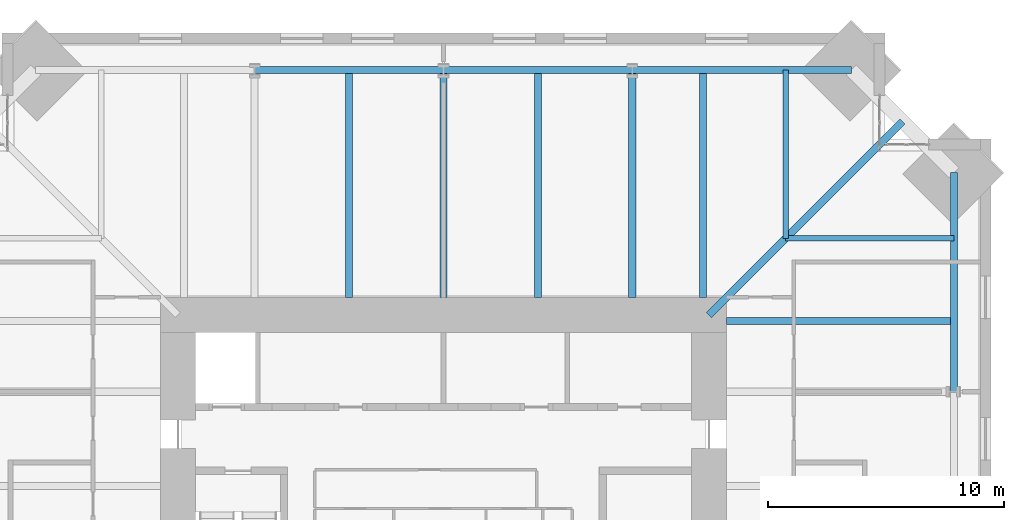
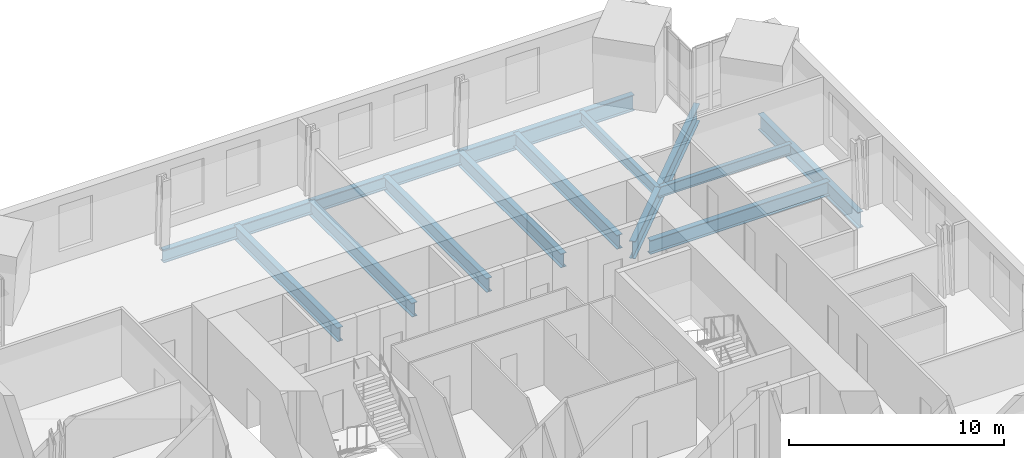
# One storey, part 7 of 15: 13 beams.
"""IFC4 building model written with IfcOpenShell, lengths in metres."""

from ifc_helpers import new_model, si_unit, direction, frame, origin, origin_2d, place, context, subcontext, project, spatial, i_section, extrude, material, material_profile, profile_set, type_object, element, save


model = new_model("IFC4")

# Units and contexts
model_context = context("Model", 3, precision=1e-05, world=origin(), true_north=direction((0.0, 1.0)))
body_context = subcontext(model_context, "Body", "Model", "MODEL_VIEW")
ifc_project = project(units=[si_unit("LENGTHUNIT", "METRE"), si_unit("AREAUNIT", "SQUARE_METRE"), si_unit("VOLUMEUNIT", "CUBIC_METRE"), si_unit("PLANEANGLEUNIT", "RADIAN"), si_unit("MASSUNIT", "GRAM", prefix="KILO")], contexts=[model_context])

# Site, building, storey
site_placement = place(None, origin())
site = spatial("IfcSite", under=ifc_project, at=site_placement, CompositionType="ELEMENT")
building_placement = place(site_placement, origin())
building = spatial("IfcBuilding", under=site, at=building_placement, Name="Peilmerk Tower", CompositionType="ELEMENT")
storey_placement = place(building_placement, frame((0.0, 0.0, 229.800048828125)))
storey = spatial("IfcBuildingStorey", under=building, at=storey_placement, Name="L50", CompositionType="ELEMENT", Elevation=229.800048828125)

# Beams
ifc_material = material(Name="Steel S355", Category="steel")
ifc_material_profile_1 = material_profile(ifc_material, i_section(OverallWidth=0.219970703125, OverallDepth=0.60009765625, WebThickness=0.011962890625, FlangeThickness=0.01904296875, at=origin_2d()), Name="IPE 600")
ifc_profile_set_1 = profile_set([ifc_material_profile_1], Name="Steel S355")
beam_type_1 = type_object("IfcBeamType", Name="B10 IPE 600 floor beam", PredefinedType="BEAM", material=ifc_profile_set_1)
for number, where, z_axis, x_axis, name in (
    (1, (14.5, 14.5, -0.469970703125), (0.0, 1.0, 0.0), (-1.0, 0.0, 0.0), "Floor beam L50"),
    (2, (14.5, 14.5, -0.469970703125), (1.0, 0.0, 0.0), (0.0, 1.0, 0.0), "Floor beam L50"),
):
    element("IfcBeam", number, at=place(storey_placement, frame(where, z_axis=z_axis, x_axis=x_axis)), inside=storey, type_object=beam_type_1, Name=name, PredefinedType="BEAM", context=body_context, shape_type="SweptSolid", body=[
        extrude(i_section(OverallWidth=0.219970703125, OverallDepth=0.60009765625, WebThickness=0.011962890625, FlangeThickness=0.01904296875, at=origin_2d()), origin(), (0.0, 0.0, 1.0), 7.130615234375),
    ])
ifc_material_profile_2 = material_profile(ifc_material, i_section(OverallWidth=0.300048828125, OverallDepth=0.989990234375, WebThickness=0.0166015625, FlangeThickness=0.031005859375, at=origin_2d()), Name="HEA 1000")
ifc_profile_set_2 = profile_set([ifc_material_profile_2], Name="Steel S355")
beam_type_2 = type_object("IfcBeamType", Name="B14 HEA 1000 floor girder", PredefinedType="BEAM", material=ifc_profile_set_2)
beam_placement = place(storey_placement, frame((11.25, 11.25, -0.6650390625), z_axis=(0.707106781187, 0.707106781187, 0.0), x_axis=(-0.707106781187, 0.707106781187, 0.0)))
element("IfcBeam", 3, at=beam_placement, inside=storey, type_object=beam_type_2, Name="Corner girder L50", PredefinedType="BEAM", context=body_context, shape_type="SweptSolid", body=[
    extrude(i_section(OverallWidth=0.300048828125, OverallDepth=0.989990234375, WebThickness=0.0166015625, FlangeThickness=0.031005859375, at=origin_2d()), origin(), (0.0, 0.0, 1.0), 11.6044921875),
])
ifc_material_profile_3 = material_profile(ifc_material, i_section(OverallWidth=0.302001953125, OverallDepth=0.909912109375, WebThickness=0.02099609375, FlangeThickness=0.0400390625, at=origin_2d()), Name="HEM 900")
ifc_profile_set_3 = profile_set([ifc_material_profile_3], Name="Steel S355")
beam_type_3 = type_object("IfcBeamType", Name="B2 HEM 900 edge beam", PredefinedType="SPANDREL", material=ifc_profile_set_3)
for number, where, z_axis, x_axis, name in (
    (4, (17.28076171875, 21.630615234375, -0.625), (-1.0, 0.0, 0.0), (0.0, -1.0, 0.0), "Edge beam L50"),
    (5, (21.630615234375, 8.0, -0.625), (0.0, 1.0, 0.0), (-1.0, 0.0, 0.0), "Edge beam L50"),
):
    element("IfcBeam", number, at=place(storey_placement, frame(where, z_axis=z_axis, x_axis=x_axis)), inside=storey, type_object=beam_type_3, Name=name, PredefinedType="SPANDREL", context=body_context, shape_type="SweptSolid", body=[
        extrude(i_section(OverallWidth=0.302001953125, OverallDepth=0.909912109375, WebThickness=0.02099609375, FlangeThickness=0.0400390625, at=origin_2d()), origin(), (0.0, 0.0, 1.0), 9.28076171875),
    ])
ifc_material_profile_4 = material_profile(ifc_material, i_section(OverallWidth=0.300048828125, OverallDepth=0.7900390625, WebThickness=0.014892578125, FlangeThickness=0.028076171875, at=origin_2d()), Name="HEA 800")
ifc_profile_set_4 = profile_set([ifc_material_profile_4], Name="Steel S355")
beam_type_4 = type_object("IfcBeamType", Name="B3 HEA 800 floor beam", PredefinedType="BEAM", material=ifc_profile_set_4)
for number, where, z_axis, x_axis, name in (
    (6, (11.0, 12.0, -0.56494140625), (0.0, 1.0, 0.0), (-1.0, 0.0, 0.0), "Floor beam L50"),
    (7, (8.0, 12.0, -0.56494140625), (0.0, 1.0, 0.0), (-1.0, 0.0, 0.0), "Floor beam L50"),
    (8, (4.0, 12.0, -0.56494140625), (0.0, 1.0, 0.0), (-1.0, 0.0, 0.0), "Floor beam L50"),
    (9, (0.0, 12.0, -0.56494140625), (0.0, 1.0, 0.0), (-1.0, 0.0, 0.0), "Floor beam L50"),
    (10, (-4.0, 12.0, -0.56494140625), (0.0, 1.0, 0.0), (-1.0, 0.0, 0.0), "Floor beam L50"),
    (11, (12.0, 11.0, -0.56494140625), (1.0, 0.0, 0.0), (0.0, 1.0, 0.0), "Floor beam L50"),
):
    element("IfcBeam", number, at=place(storey_placement, frame(where, z_axis=z_axis, x_axis=x_axis)), inside=storey, type_object=beam_type_4, Name=name, PredefinedType="BEAM", context=body_context, shape_type="SweptSolid", body=[
        extrude(i_section(OverallWidth=0.300048828125, OverallDepth=0.7900390625, WebThickness=0.014892578125, FlangeThickness=0.028076171875, at=origin_2d()), origin(), (0.0, 0.0, 1.0), 9.630615234375),
    ])
ifc_material_profile_5 = material_profile(ifc_material, i_section(OverallWidth=0.303955078125, OverallDepth=0.716064453125, WebThickness=0.02099609375, FlangeThickness=0.0400390625, at=origin_2d()), Name="HEM 700")
ifc_profile_set_5 = profile_set([ifc_material_profile_5], Name="Steel S355")
beam_type_5 = type_object("IfcBeamType", Name="B30 HEM 700 edge beam", PredefinedType="SPANDREL", material=ifc_profile_set_5)
for number, where, z_axis, x_axis, name in (
    (12, (8.0, 21.630615234375, -0.528076171875), (-1.0, 0.0, 0.0), (0.0, -1.0, 0.0), "Edge beam L50"),
    (13, (0.0, 21.630615234375, -0.528076171875), (-1.0, 0.0, 0.0), (0.0, -1.0, 0.0), "Edge beam L50"),
):
    element("IfcBeam", number, at=place(storey_placement, frame(where, z_axis=z_axis, x_axis=x_axis)), inside=storey, type_object=beam_type_5, Name=name, PredefinedType="SPANDREL", context=body_context, shape_type="SweptSolid", body=[
        extrude(i_section(OverallWidth=0.303955078125, OverallDepth=0.716064453125, WebThickness=0.02099609375, FlangeThickness=0.0400390625, at=origin_2d()), origin(), (0.0, 0.0, 1.0), 8.0),
    ])

save(model, "model.ifc")
